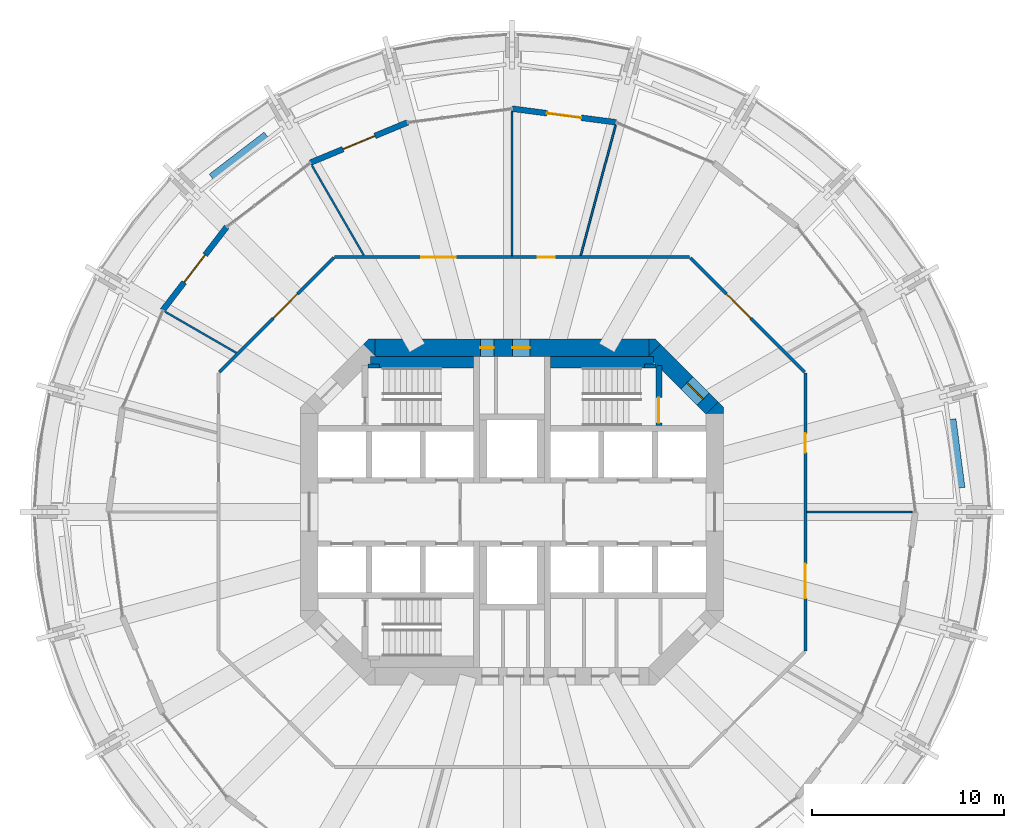
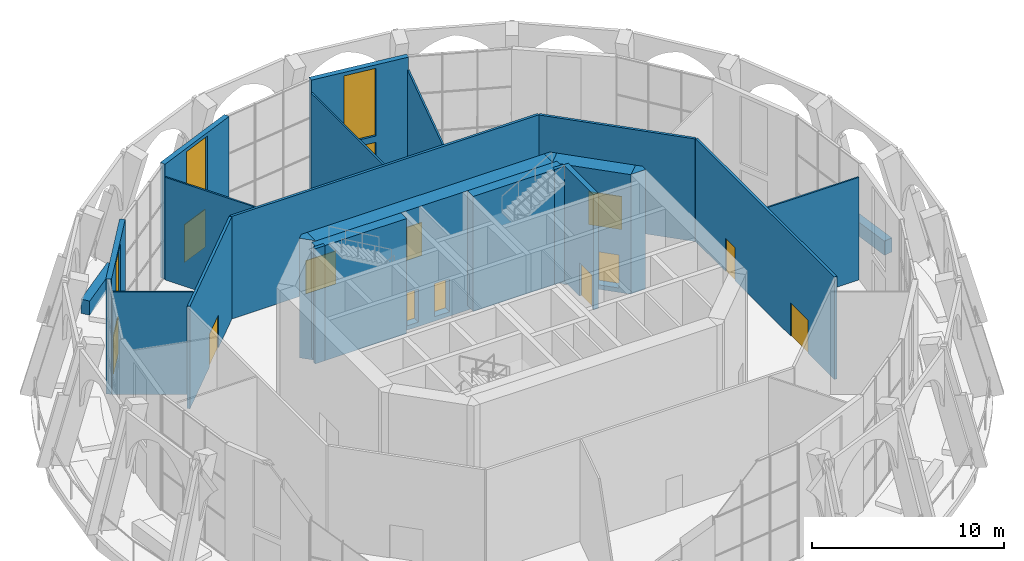
# One storey, part 14 of 18: 24 walls, 13 doors, 3 windows, 16 openings.
"""IFC4 building model written with IfcOpenShell, lengths in metres."""

from ifc_helpers import new_model, si_unit, direction, frame, frame_2d, origin, place, context, subcontext, project, spatial, polyline, rectangle, outline, extrude, material, layer, layer_set, type_object, element, fill, save


model = new_model("IFC4")

# Units and contexts
model_context = context("Model", 3, precision=1e-05, world=origin(), true_north=direction((0.0, 1.0)))
body_context = subcontext(model_context, "Body", "Model", "MODEL_VIEW")
ifc_project = project(units=[si_unit("LENGTHUNIT", "METRE"), si_unit("AREAUNIT", "SQUARE_METRE"), si_unit("VOLUMEUNIT", "CUBIC_METRE"), si_unit("PLANEANGLEUNIT", "RADIAN"), si_unit("MASSUNIT", "GRAM", prefix="KILO")], contexts=[model_context])

# Site, building, storey
site_placement = place(None, origin())
site = spatial("IfcSite", under=ifc_project, at=site_placement, CompositionType="ELEMENT")
building_placement = place(site_placement, origin())
building = spatial("IfcBuilding", under=site, at=building_placement, Name="Torre Triforio", CompositionType="ELEMENT")
storey_placement = place(building_placement, frame((0.0, 0.0, 146.60009765625)))
storey = spatial("IfcBuildingStorey", under=building, at=storey_placement, Name="L33", CompositionType="ELEMENT", Elevation=146.60009765625)

# Wall, openings, doors
ifc_material_1 = material(Name="Concrete C60", Category="concrete")
ifc_layer_1 = layer(ifc_material_1, 0.89990234375)
ifc_layer_set_1 = layer_set([ifc_layer_1], Name="Concrete C60")
wall_type_1 = type_object("IfcWallType", Name="Core wall 900 mm C60 EI 120", PredefinedType="SHEAR", material=ifc_layer_set_1)
wall_1_placement = place(storey_placement, frame((-7.1298828125, 8.550048828125, -0.280029296875), z_axis=(0.0, 0.0, 1.0), x_axis=(1.0, 0.0, 0.0)))
wall_1 = element("IfcWall", 1, at=wall_1_placement, inside=storey, type_object=wall_type_1, Name="Core wall", PredefinedType="SHEAR", context=body_context, shape_type="SweptSolid", body=[
    extrude(rectangle(XDim=14.259765625, YDim=0.89990234375, at=frame_2d((7.1298828125, 0.0))), origin(), (0.0, 0.0, 1.0), 7.599853515625),
])
opening_1_placement = place(wall_1_placement, frame((5.47998046875, 0.0, 0.280029296875)))
opening_1 = element("IfcOpeningElement", 2, at=opening_1_placement, cuts=wall_1, Name="Opening RISER-N", PredefinedType="OPENING", context=body_context, shape_type="SweptSolid", body=[
    extrude(rectangle(XDim=0.699951171875, YDim=2.10009765625, at=frame_2d((0.35009765625, 1.050048828125))), frame((0.0, 0.4599609375, 0.0), z_axis=(0.0, -1.0, 0.0), x_axis=(1.0, 0.0, 0.0)), (0.0, 0.0, 1.0), 0.919921875),
])
opening_2_placement = place(wall_1_placement, frame((7.155029296875, 0.0, 0.280029296875)))
opening_2 = element("IfcOpeningElement", 3, at=opening_2_placement, cuts=wall_1, Name="Opening NE-01", PredefinedType="OPENING", context=body_context, shape_type="SweptSolid", body=[
    extrude(rectangle(XDim=0.89990234375, YDim=2.10009765625, at=frame_2d((0.449951171875, 1.050048828125))), frame((0.0, 0.4599609375, 0.0), z_axis=(0.0, -1.0, 0.0), x_axis=(1.0, 0.0, 0.0)), (0.0, 0.0, 1.0), 0.919921875),
])
ifc_material_2 = material(Name="Hollow metal fire door leaf")
door_type_1 = type_object("IfcDoorType", Name="Riser door 700 x 2100 EI 60", OperationType="NOTDEFINED", PredefinedType="DOOR", material=ifc_material_2)
door_1_placement = place(opening_1_placement, origin())
door_1 = element("IfcDoor", 4, at=door_1_placement, inside=storey, type_object=door_type_1, Name="Core door RISER-N", OperationType="SINGLE_SWING_LEFT", OverallHeight=2.10009765625, OverallWidth=0.699951171875, PredefinedType="DOOR", context=body_context, shape_type="SweptSolid", body=[
    extrude(rectangle(XDim=0.699951171875, YDim=2.10009765625, at=frame_2d((0.35009765625, 1.050048828125))), frame((0.0, 0.02490234375, 0.0), z_axis=(0.0, -1.0, 0.0), x_axis=(1.0, 0.0, 0.0)), (0.0, 0.0, 1.0), 0.050048828125),
])
fill(opening_1, door_1)
door_type_2 = type_object("IfcDoorType", Name="Room door 900 x 2100 EI 60", OperationType="NOTDEFINED", PredefinedType="DOOR", material=ifc_material_2)
door_2_placement = place(opening_2_placement, origin())
door_2 = element("IfcDoor", 5, at=door_2_placement, inside=storey, type_object=door_type_2, Name="Core door NE-01", OperationType="SINGLE_SWING_LEFT", OverallHeight=2.10009765625, OverallWidth=0.89990234375, PredefinedType="DOOR", context=body_context, shape_type="SweptSolid", body=[
    extrude(rectangle(XDim=0.89990234375, YDim=2.10009765625, at=frame_2d((0.449951171875, 1.050048828125))), frame((0.0, 0.02490234375, 0.0), z_axis=(0.0, -1.0, 0.0), x_axis=(1.0, 0.0, 0.0)), (0.0, 0.0, 1.0), 0.050048828125),
])
fill(opening_2, door_2)

# Wall, opening, door
wall_2_placement = place(storey_placement, frame((7.418212890625, 8.418212890625, -0.280029296875), z_axis=(0.0, 0.0, 1.0), x_axis=(0.707106781187, -0.707106781187, 0.0)))
wall_2 = element("IfcWall", 6, at=wall_2_placement, inside=storey, type_object=wall_type_1, Name="Core wall", PredefinedType="SHEAR", context=body_context, shape_type="SweptSolid", body=[
    extrude(rectangle(XDim=4.24267578125, YDim=0.89990234375, at=frame_2d((2.121337890625, 0.0))), origin(), (0.0, 0.0, 1.0), 7.599853515625),
])
opening_3_placement = place(wall_2_placement, frame((2.392578125, 0.0, 0.280029296875)))
opening_3 = element("IfcOpeningElement", 7, at=opening_3_placement, cuts=wall_2, Name="Opening ST2-EXIT", PredefinedType="OPENING", context=body_context, shape_type="SweptSolid", body=[
    extrude(rectangle(XDim=1.199951171875, YDim=2.10009765625, at=frame_2d((0.60009765625, 1.050048828125))), frame((0.0, 0.4599609375, 0.0), z_axis=(0.0, -1.0, 0.0), x_axis=(1.0, 0.0, 0.0)), (0.0, 0.0, 1.0), 0.919921875),
])
door_type_3 = type_object("IfcDoorType", Name="Stair lobby door 1200 x 2100 EI 60", OperationType="NOTDEFINED", PredefinedType="DOOR", material=ifc_material_2)
door_3_placement = place(opening_3_placement, origin())
door_3 = element("IfcDoor", 8, at=door_3_placement, inside=storey, type_object=door_type_3, Name="Core door ST2-EXIT", OperationType="SINGLE_SWING_LEFT", OverallHeight=2.10009765625, OverallWidth=1.199951171875, PredefinedType="DOOR", context=body_context, shape_type="SweptSolid", body=[
    extrude(rectangle(XDim=1.199951171875, YDim=2.10009765625, at=frame_2d((0.60009765625, 1.050048828125))), frame((0.0, 0.02490234375, 0.0), z_axis=(0.0, -1.0, 0.0), x_axis=(1.0, 0.0, 0.0)), (0.0, 0.0, 1.0), 0.050048828125),
])
fill(opening_3, door_3)

# Walls
wall_3_placement = place(storey_placement, frame((0.0, 0.0, -0.280029296875)))
element("IfcWall", 9, at=wall_3_placement, inside=storey, type_object=wall_type_1, Name="Core wall", PredefinedType="SHEAR", context=body_context, shape_type="SweptSolid", body=[
    extrude(outline(polyline([(11.0, 5.472900390625), (11.0, 5.1298828125), (10.1298828125, 5.1298828125), (10.736328125, 5.736328125), (11.0, 5.472900390625)])), origin(), (0.0, 0.0, 1.0), 7.599853515625),
])
wall_4_placement = place(storey_placement, frame((0.0, 0.0, -0.280029296875)))
element("IfcWall", 10, at=wall_4_placement, inside=storey, type_object=wall_type_1, Name="Core wall", PredefinedType="SHEAR", context=body_context, shape_type="SweptSolid", body=[
    extrude(outline(polyline([(-7.472900390625, 9.0), (-7.1298828125, 9.0), (-7.1298828125, 8.1298828125), (-7.736328125, 8.736328125), (-7.472900390625, 9.0)])), origin(), (0.0, 0.0, 1.0), 7.599853515625),
])
wall_5_placement = place(storey_placement, frame((0.0, 0.0, -0.280029296875)))
element("IfcWall", 11, at=wall_5_placement, inside=storey, type_object=wall_type_1, Name="Core wall", PredefinedType="SHEAR", context=body_context, shape_type="SweptSolid", body=[
    extrude(outline(polyline([(7.472900390625, 9.0), (7.736328125, 8.736328125), (7.1298828125, 8.1298828125), (7.1298828125, 9.0), (7.472900390625, 9.0)])), origin(), (0.0, 0.0, 1.0), 7.599853515625),
])

# Wall, opening, door
ifc_material_3 = material(Name="Plasterboard on metal studs")
ifc_layer_2 = layer(ifc_material_3, 0.14990234375)
ifc_layer_set_2 = layer_set([ifc_layer_2], Name="Plasterboard on metal studs")
wall_type_2 = type_object("IfcWallType", Name="Corridor and tenancy wall 150 mm EI 60", PredefinedType="PARTITIONING", material=ifc_layer_set_2)
wall_6_placement = place(storey_placement, frame((-15.23779296875, 7.28076171875, 0.0), z_axis=(0.0, 0.0, 1.0), x_axis=(0.707106781187, 0.707106781187, 0.0)))
wall_6 = element("IfcWall", 12, at=wall_6_placement, inside=storey, type_object=wall_type_2, Name="Partition 5", PredefinedType="PARTITIONING", context=body_context, shape_type="SweptSolid", body=[
    extrude(rectangle(XDim=8.424560546875, YDim=0.14990234375, at=frame_2d((4.21240234375, 0.0))), origin(), (0.0, 0.0, 1.0), 6.52001953125),
])
opening_4_placement = place(wall_6_placement, frame((3.966552734375, 0.0, 0.0)))
opening_4 = element("IfcOpeningElement", 13, at=opening_4_placement, cuts=wall_6, Name="Opening G2-04", PredefinedType="OPENING", context=body_context, shape_type="SweptSolid", body=[
    extrude(rectangle(XDim=1.800048828125, YDim=2.10009765625, at=frame_2d((0.89990234375, 1.050048828125))), frame((0.0, 0.0849609375, 0.0), z_axis=(0.0, -1.0, 0.0), x_axis=(1.0, 0.0, 0.0)), (0.0, 0.0, 1.0), 0.169921875),
])
ifc_material_4 = material(Name="Timber", Category="wood")
door_type_4 = type_object("IfcDoorType", Name="Door 1800 x 2100 double leaf EI 30", OperationType="DOUBLE_DOOR_SINGLE_SWING", PredefinedType="DOOR", material=ifc_material_4)
door_4_placement = place(opening_4_placement, origin())
door_4 = element("IfcDoor", 14, at=door_4_placement, inside=storey, type_object=door_type_4, Name="Door G2-04", OperationType="DOUBLE_DOOR_SINGLE_SWING", OverallHeight=2.10009765625, OverallWidth=1.800048828125, PredefinedType="DOOR", context=body_context, shape_type="SweptSolid", body=[
    extrude(rectangle(XDim=1.800048828125, YDim=2.10009765625, at=frame_2d((0.89990234375, 1.050048828125))), frame((0.0, 0.02490234375, 0.0), z_axis=(0.0, -1.0, 0.0), x_axis=(1.0, 0.0, 0.0)), (0.0, 0.0, 1.0), 0.050048828125),
])
fill(opening_4, door_4)

# Wall, openings, doors
wall_7_placement = place(storey_placement, frame((-9.24365234375, 13.27490234375, 0.0), z_axis=(0.0, 0.0, 1.0), x_axis=(1.0, 0.0, 0.0)))
wall_7 = element("IfcWall", 15, at=wall_7_placement, inside=storey, type_object=wall_type_2, Name="Partition 6", PredefinedType="PARTITIONING", context=body_context, shape_type="SweptSolid", body=[
    extrude(rectangle(XDim=18.4873046875, YDim=0.14990234375, at=frame_2d((9.24365234375, 0.0))), origin(), (0.0, 0.0, 1.0), 6.52001953125),
])
opening_5_placement = place(wall_7_placement, frame((10.572998046875, 0.0, 0.0)))
opening_5 = element("IfcOpeningElement", 16, at=opening_5_placement, cuts=wall_7, Name="Opening G2-02", PredefinedType="OPENING", context=body_context, shape_type="SweptSolid", body=[
    extrude(rectangle(XDim=0.89990234375, YDim=2.10009765625, at=frame_2d((0.449951171875, 1.050048828125))), frame((0.0, 0.0849609375, 0.0), z_axis=(0.0, -1.0, 0.0), x_axis=(1.0, 0.0, 0.0)), (0.0, 0.0, 1.0), 0.169921875),
])
opening_6_placement = place(wall_7_placement, frame((4.507568359375, 0.0, 0.0)))
opening_6 = element("IfcOpeningElement", 17, at=opening_6_placement, cuts=wall_7, Name="Opening G2-03", PredefinedType="OPENING", context=body_context, shape_type="SweptSolid", body=[
    extrude(rectangle(XDim=1.800048828125, YDim=2.10009765625, at=frame_2d((0.89990234375, 1.050048828125))), frame((0.0, 0.0849609375, 0.0), z_axis=(0.0, -1.0, 0.0), x_axis=(1.0, 0.0, 0.0)), (0.0, 0.0, 1.0), 0.169921875),
])
door_5_placement = place(opening_6_placement, origin())
door_5 = element("IfcDoor", 18, at=door_5_placement, inside=storey, type_object=door_type_4, Name="Door G2-03", OperationType="DOUBLE_DOOR_SINGLE_SWING", OverallHeight=2.10009765625, OverallWidth=1.800048828125, PredefinedType="DOOR", context=body_context, shape_type="SweptSolid", body=[
    extrude(rectangle(XDim=1.800048828125, YDim=2.10009765625, at=frame_2d((0.89990234375, 1.050048828125))), frame((0.0, 0.02490234375, 0.0), z_axis=(0.0, -1.0, 0.0), x_axis=(1.0, 0.0, 0.0)), (0.0, 0.0, 1.0), 0.050048828125),
])
fill(opening_6, door_5)
door_type_5 = type_object("IfcDoorType", Name="Door 900 x 2100 single leaf EI 30", OperationType="NOTDEFINED", PredefinedType="DOOR", material=ifc_material_4)
door_6_placement = place(opening_5_placement, origin())
door_6 = element("IfcDoor", 19, at=door_6_placement, inside=storey, type_object=door_type_5, Name="Door G2-02", OperationType="SINGLE_SWING_RIGHT", OverallHeight=2.10009765625, OverallWidth=0.89990234375, PredefinedType="DOOR", context=body_context, shape_type="SweptSolid", body=[
    extrude(rectangle(XDim=0.89990234375, YDim=2.10009765625, at=frame_2d((0.449951171875, 1.050048828125))), frame((0.0, 0.02490234375, 0.0), z_axis=(0.0, -1.0, 0.0), x_axis=(1.0, 0.0, 0.0)), (0.0, 0.0, 1.0), 0.050048828125),
])
fill(opening_5, door_6)

# Wall, opening, door
wall_8_placement = place(storey_placement, frame((9.28076171875, 13.23779296875, 0.0), z_axis=(0.0, 0.0, 1.0), x_axis=(0.707106781187, -0.707106781187, 0.0)))
wall_8 = element("IfcWall", 20, at=wall_8_placement, inside=storey, type_object=wall_type_2, Name="Partition 7", PredefinedType="PARTITIONING", context=body_context, shape_type="SweptSolid", body=[
    extrude(rectangle(XDim=8.424560546875, YDim=0.14990234375, at=frame_2d((4.21240234375, 0.0))), origin(), (0.0, 0.0, 1.0), 6.52001953125),
])
opening_7_placement = place(wall_8_placement, frame((2.658203125, 0.0, 0.0)))
opening_7 = element("IfcOpeningElement", 21, at=opening_7_placement, cuts=wall_8, Name="Opening G2-01", PredefinedType="OPENING", context=body_context, shape_type="SweptSolid", body=[
    extrude(rectangle(XDim=1.800048828125, YDim=2.10009765625, at=frame_2d((0.89990234375, 1.050048828125))), frame((0.0, 0.0849609375, 0.0), z_axis=(0.0, -1.0, 0.0), x_axis=(1.0, 0.0, 0.0)), (0.0, 0.0, 1.0), 0.169921875),
])
door_7_placement = place(opening_7_placement, origin())
door_7 = element("IfcDoor", 22, at=door_7_placement, inside=storey, type_object=door_type_4, Name="Door G2-01", OperationType="DOUBLE_DOOR_SINGLE_SWING", OverallHeight=2.10009765625, OverallWidth=1.800048828125, PredefinedType="DOOR", context=body_context, shape_type="SweptSolid", body=[
    extrude(rectangle(XDim=1.800048828125, YDim=2.10009765625, at=frame_2d((0.89990234375, 1.050048828125))), frame((0.0, 0.02490234375, 0.0), z_axis=(0.0, -1.0, 0.0), x_axis=(1.0, 0.0, 0.0)), (0.0, 0.0, 1.0), 0.050048828125),
])
fill(opening_7, door_7)

# Wall, openings, doors
wall_9_placement = place(storey_placement, frame((15.27490234375, 7.24365234375, 0.0), z_axis=(0.0, 0.0, 1.0), x_axis=(0.0, -1.0, 0.0)))
wall_9 = element("IfcWall", 23, at=wall_9_placement, inside=storey, type_object=wall_type_2, Name="Partition 8", PredefinedType="PARTITIONING", context=body_context, shape_type="SweptSolid", body=[
    extrude(rectangle(XDim=14.4873046875, YDim=0.14990234375, at=frame_2d((7.24365234375, 0.0))), origin(), (0.0, 0.0, 1.0), 6.52001953125),
])
opening_8_placement = place(wall_9_placement, frame((9.940185546875, 0.0, 0.0)))
opening_8 = element("IfcOpeningElement", 24, at=opening_8_placement, cuts=wall_9, Name="Opening G2-10", PredefinedType="OPENING", context=body_context, shape_type="SweptSolid", body=[
    extrude(rectangle(XDim=1.800048828125, YDim=2.10009765625, at=frame_2d((0.89990234375, 1.050048828125))), frame((0.0, 0.0849609375, 0.0), z_axis=(0.0, -1.0, 0.0), x_axis=(1.0, 0.0, 0.0)), (0.0, 0.0, 1.0), 0.169921875),
])
opening_9_placement = place(wall_9_placement, frame((3.146728515625, 0.0, 0.0)))
opening_9 = element("IfcOpeningElement", 25, at=opening_9_placement, cuts=wall_9, Name="Opening G2-11", PredefinedType="OPENING", context=body_context, shape_type="SweptSolid", body=[
    extrude(rectangle(XDim=1.0, YDim=2.10009765625, at=frame_2d((0.5, 1.050048828125))), frame((0.0, 0.0849609375, 0.0), z_axis=(0.0, -1.0, 0.0), x_axis=(1.0, 0.0, 0.0)), (0.0, 0.0, 1.0), 0.169921875),
])
door_type_6 = type_object("IfcDoorType", Name="Door 1000 x 2100 single leaf EI 30", OperationType="NOTDEFINED", PredefinedType="DOOR", material=ifc_material_4)
door_8_placement = place(opening_9_placement, origin())
door_8 = element("IfcDoor", 26, at=door_8_placement, inside=storey, type_object=door_type_6, Name="Door G2-11", OperationType="SINGLE_SWING_RIGHT", OverallHeight=2.10009765625, OverallWidth=1.0, PredefinedType="DOOR", context=body_context, shape_type="SweptSolid", body=[
    extrude(rectangle(XDim=1.0, YDim=2.10009765625, at=frame_2d((0.5, 1.050048828125))), frame((0.0, 0.02490234375, 0.0), z_axis=(0.0, -1.0, 0.0), x_axis=(1.0, 0.0, 0.0)), (0.0, 0.0, 1.0), 0.050048828125),
])
fill(opening_9, door_8)
door_9_placement = place(opening_8_placement, origin())
door_9 = element("IfcDoor", 27, at=door_9_placement, inside=storey, type_object=door_type_4, Name="Door G2-10", OperationType="DOUBLE_DOOR_SINGLE_SWING", OverallHeight=2.10009765625, OverallWidth=1.800048828125, PredefinedType="DOOR", context=body_context, shape_type="SweptSolid", body=[
    extrude(rectangle(XDim=1.800048828125, YDim=2.10009765625, at=frame_2d((0.89990234375, 1.050048828125))), frame((0.0, 0.02490234375, 0.0), z_axis=(0.0, -1.0, 0.0), x_axis=(1.0, 0.0, 0.0)), (0.0, 0.0, 1.0), 0.050048828125),
])
fill(opening_8, door_9)

# Walls
ifc_layer_3 = layer(ifc_material_3, 0.10009765625)
ifc_layer_set_3 = layer_set([ifc_layer_3], Name="Plasterboard on metal studs")
wall_type_3 = type_object("IfcWallType", Name="Partition 100 mm board on metal studs", PredefinedType="PARTITIONING", material=ifc_layer_set_3)
wall_10_placement = place(storey_placement, frame((15.35009765625, 0.0, 0.0), z_axis=(0.0, 0.0, 1.0), x_axis=(1.0, 0.0, 0.0)))
element("IfcWall", 28, at=wall_10_placement, inside=storey, type_object=wall_type_3, Name="Partition 9", PredefinedType="PARTITIONING", context=body_context, shape_type="SweptSolid", body=[
    extrude(rectangle(XDim=5.486572265625, YDim=0.10009765625, at=frame_2d((2.7431640625, 0.0))), origin(), (0.0, 0.0, 1.0), 6.52001953125),
])
wall_11_placement = place(storey_placement, frame((3.5810546875, 13.3642578125, 0.0), z_axis=(0.0, 0.0, 1.0), x_axis=(0.258788959086, 0.965933887311, 0.0)))
element("IfcWall", 29, at=wall_11_placement, inside=storey, type_object=wall_type_3, Name="Partition 11", PredefinedType="PARTITIONING", context=body_context, shape_type="SweptSolid", body=[
    extrude(rectangle(XDim=7.0009765625, YDim=0.10009765625, at=frame_2d((3.50048828125, 0.0))), origin(), (0.0, 0.0, 1.0), 6.52001953125),
])
wall_12_placement = place(storey_placement, frame((0.0, 13.35009765625, 0.0), z_axis=(0.0, 0.0, 1.0), x_axis=(0.0, 1.0, 0.0)))
element("IfcWall", 30, at=wall_12_placement, inside=storey, type_object=wall_type_3, Name="Partition 12", PredefinedType="PARTITIONING", context=body_context, shape_type="SweptSolid", body=[
    extrude(rectangle(XDim=7.486572265625, YDim=0.10009765625, at=frame_2d((3.7431640625, 0.0))), origin(), (0.0, 0.0, 1.0), 6.52001953125),
])
wall_13_placement = place(storey_placement, frame((-7.7216796875, 13.37451171875, 0.0), z_axis=(0.0, 0.0, 1.0), x_axis=(-0.500024172624, 0.866011447264, 0.0)))
element("IfcWall", 31, at=wall_13_placement, inside=storey, type_object=wall_type_3, Name="Partition 13", PredefinedType="PARTITIONING", context=body_context, shape_type="SweptSolid", body=[
    extrude(rectangle(XDim=5.393310546875, YDim=0.10009765625, at=frame_2d((2.69677734375, 0.0))), origin(), (0.0, 0.0, 1.0), 6.52001953125),
])
wall_14_placement = place(storey_placement, frame((-14.356201171875, 8.28857421875, 0.0), z_axis=(0.0, 0.0, 1.0), x_axis=(-0.866019511163, 0.500010206181, 0.0)))
element("IfcWall", 32, at=wall_14_placement, inside=storey, type_object=wall_type_3, Name="Partition 14", PredefinedType="PARTITIONING", context=body_context, shape_type="SweptSolid", body=[
    extrude(rectangle(XDim=4.259765625, YDim=0.10009765625, at=frame_2d((2.1298828125, 0.0))), origin(), (0.0, 0.0, 1.0), 6.52001953125),
])
ifc_material_5 = material(Name="Limestone cladding", Category="masonry")
ifc_layer_4 = layer(ifc_material_5, 0.10009765625)
ifc_material_6 = material(Name="Concrete C40", Category="concrete")
ifc_layer_5 = layer(ifc_material_6, 0.39990234375)
ifc_layer_set_4 = layer_set([ifc_layer_4, ifc_layer_5], Name="Limestone cladding / Concrete C40")
wall_type_4 = type_object("IfcWallType", Name="Planter wall 500", PredefinedType="PARAPET", material=ifc_layer_set_4)
for number, where, z_axis, x_axis, name in (
    (33, (23.335693359375, 1.256591796875, 0.0), (0.0, 0.0, 1.0), (-0.130542222659, 0.991442750795, 0.0), "Planter L33 bay 01"),
    (34, (-12.756103515625, 19.580810546875, 0.0), (0.0, 0.0, 1.0), (-0.793384730612, -0.608720518162, 0.0), "Planter L33 bay 09"),
):
    element("IfcWall", number, at=place(storey_placement, frame(where, z_axis=z_axis, x_axis=x_axis)), inside=storey, type_object=wall_type_4, Name=name, PredefinedType="PARAPET", context=body_context, shape_type="SweptSolid", body=[
        extrude(rectangle(XDim=3.60009765625, YDim=0.5, at=frame_2d((1.800048828125, 0.0))), origin(), (0.0, 0.0, 1.0), 0.89990234375),
    ])
ifc_layer_6 = layer(ifc_material_1, 0.199951171875)
ifc_layer_set_5 = layer_set([ifc_layer_6], Name="Concrete C60")
wall_type_5 = type_object("IfcWallType", Name="Stair wall 200 mm C60 EI 120", PredefinedType="SHEAR", material=ifc_layer_set_5)
for number, where, z_axis, x_axis, name in (
    (35, (-7.5, 7.60009765625, 0.0), (0.0, 0.0, 1.0), (1.0, 0.0, 0.0), "Stair wall"),
    (36, (6.89990234375, 7.60009765625, 0.0), (0.0, 0.0, 1.0), (1.0, 0.0, 0.0), "Stair wall"),
):
    element("IfcWall", number, at=place(storey_placement, frame(where, z_axis=z_axis, x_axis=x_axis)), inside=storey, type_object=wall_type_5, Name=name, PredefinedType="SHEAR", context=body_context, shape_type="SweptSolid", body=[
        extrude(rectangle(XDim=0.60009765625, YDim=0.199951171875, at=frame_2d((0.300048828125, 0.0))), origin(), (0.0, 0.0, 1.0), 7.31982421875),
    ])

# Wall, opening, door
ifc_layer_7 = layer(ifc_material_1, 0.300048828125)
ifc_layer_set_6 = layer_set([ifc_layer_7], Name="Concrete C60")
wall_type_6 = type_object("IfcWallType", Name="Stair wall 300 mm C60 EI 120", PredefinedType="SHEAR", material=ifc_layer_set_6)
wall_15_placement = place(storey_placement, frame((7.64990234375, 4.5, 0.0), z_axis=(0.0, 0.0, 1.0), x_axis=(0.0, 1.0, 0.0)))
wall_15 = element("IfcWall", 37, at=wall_15_placement, inside=storey, type_object=wall_type_6, Name="Stair wall", PredefinedType="SHEAR", context=body_context, shape_type="SweptSolid", body=[
    extrude(rectangle(XDim=3.139892578125, YDim=0.300048828125, at=frame_2d((1.56982421875, 0.0))), origin(), (0.0, 0.0, 1.0), 7.31982421875),
])
opening_10_placement = place(wall_15_placement, frame((0.139892578125, 0.0, 0.0)))
opening_10 = element("IfcOpeningElement", 38, at=opening_10_placement, cuts=wall_15, Name="Opening ST2-STA", PredefinedType="OPENING", context=body_context, shape_type="SweptSolid", body=[
    extrude(rectangle(XDim=1.320068359375, YDim=2.10009765625, at=frame_2d((0.66015625, 1.050048828125))), frame((0.0, 0.159912109375, 0.0), z_axis=(0.0, -1.0, 0.0), x_axis=(1.0, 0.0, 0.0)), (0.0, 0.0, 1.0), 0.320068359375),
])
door_type_7 = type_object("IfcDoorType", Name="Stair door 1320 x 2100 EI 90", OperationType="DOUBLE_DOOR_SINGLE_SWING", PredefinedType="DOOR", material=ifc_material_2)
door_10_placement = place(opening_10_placement, origin())
door_10 = element("IfcDoor", 39, at=door_10_placement, inside=storey, type_object=door_type_7, Name="Core door ST2-ST", OperationType="DOUBLE_DOOR_SINGLE_SWING", OverallHeight=2.10009765625, OverallWidth=1.320068359375, PredefinedType="DOOR", context=body_context, shape_type="SweptSolid", body=[
    extrude(rectangle(XDim=1.320068359375, YDim=2.10009765625, at=frame_2d((0.66015625, 1.050048828125))), frame((0.0, 0.02490234375, 0.0), z_axis=(0.0, -1.0, 0.0), x_axis=(1.0, 0.0, 0.0)), (0.0, 0.0, 1.0), 0.050048828125),
])
fill(opening_10, door_10)

# Walls
ifc_layer_8 = layer(ifc_material_1, 0.60009765625)
ifc_layer_set_7 = layer_set([ifc_layer_8], Name="Concrete C60")
wall_type_7 = type_object("IfcWallType", Name="Stair wall 600 mm C60 EI 120", PredefinedType="SHEAR", material=ifc_layer_set_7)
for number, where, z_axis, x_axis, name in (
    (40, (-7.3701171875, 7.800048828125, 0.0), (0.0, 0.0, 1.0), (1.0, 0.0, 0.0), "Stair wall"),
    (41, (2.0, 7.800048828125, 0.0), (0.0, 0.0, 1.0), (1.0, 0.0, 0.0), "Stair wall"),
):
    element("IfcWall", number, at=place(storey_placement, frame(where, z_axis=z_axis, x_axis=x_axis)), inside=storey, type_object=wall_type_7, Name=name, PredefinedType="SHEAR", context=body_context, shape_type="SweptSolid", body=[
        extrude(rectangle(XDim=5.3701171875, YDim=0.60009765625, at=frame_2d((2.68505859375, 0.0))), origin(), (0.0, 0.0, 1.0), 7.31982421875),
    ])

# Wall, openings, window, door
ifc_layer_9 = layer(ifc_material_5, 0.10009765625)
ifc_layer_10 = layer(ifc_material_6, 0.199951171875)
ifc_layer_set_8 = layer_set([ifc_layer_9, ifc_layer_10], Name="Limestone cladding / Concrete C40")
wall_type_8 = type_object("IfcWallType", Name="Stone-faced composite wall 300", PredefinedType="STANDARD", material=ifc_layer_set_8)
wall_16_placement = place(storey_placement, frame((5.435302734375, 20.284423828125, 0.0), z_axis=(0.0, 0.0, 1.0), x_axis=(-0.991444743541, 0.130527087244, 0.0)))
wall_16 = element("IfcWall", 42, at=wall_16_placement, inside=storey, type_object=wall_type_8, Name="External wall L33 bay 06", PredefinedType="STANDARD", context=body_context, shape_type="SweptSolid", body=[
    extrude(rectangle(XDim=5.482177734375, YDim=0.300048828125, at=frame_2d((2.7412109375, 0.0))), origin(), (0.0, 0.0, 1.0), 7.31982421875),
])
opening_11_placement = place(wall_16_placement, frame((1.841064453125, 0.0, 0.0)))
opening_11 = element("IfcOpeningElement", 43, at=opening_11_placement, cuts=wall_16, Name="Opening G2-D06", PredefinedType="OPENING", context=body_context, shape_type="SweptSolid", body=[
    extrude(rectangle(XDim=1.800048828125, YDim=2.39990234375, at=frame_2d((0.89990234375, 1.199951171875))), frame((0.0, 0.159912109375, 0.0), z_axis=(0.0, -1.0, 0.0), x_axis=(1.0, 0.0, 0.0)), (0.0, 0.0, 1.0), 0.320068359375),
])
opening_12_placement = place(wall_16_placement, frame((1.841064453125, 0.0, 2.800048828125)))
opening_12 = element("IfcOpeningElement", 44, at=opening_12_placement, cuts=wall_16, Name="Opening G2-W06", PredefinedType="OPENING", context=body_context, shape_type="SweptSolid", body=[
    extrude(rectangle(XDim=1.800048828125, YDim=4.300048828125, at=frame_2d((0.89990234375, 2.14990234375))), frame((0.0, 0.159912109375, 0.0), z_axis=(0.0, -1.0, 0.0), x_axis=(1.0, 0.0, 0.0)), (0.0, 0.0, 1.0), 0.320068359375),
])
ifc_material_7 = material(Name="Aluminium frame with clear double glazing", Category="aluminium")
window_type = type_object("IfcWindowType", Name="Garden clerestory window 1800 x 4300", PartitioningType="DOUBLE_PANEL_VERTICAL", PredefinedType="WINDOW", material=ifc_material_7)
window_1_placement = place(opening_12_placement, origin())
window_1 = element("IfcWindow", 45, at=window_1_placement, inside=storey, type_object=window_type, Name="Clerestory EWN21 L33 bay 06", OverallHeight=4.300048828125, OverallWidth=1.800048828125, PartitioningType="SINGLE_PANEL", PredefinedType="WINDOW", context=body_context, shape_type="SweptSolid", body=[
    extrude(rectangle(XDim=1.800048828125, YDim=4.300048828125, at=frame_2d((0.89990234375, 2.14990234375))), frame((0.0, 0.030029296875, 0.0), z_axis=(0.0, -1.0, 0.0), x_axis=(1.0, 0.0, 0.0)), (0.0, 0.0, 1.0), 0.06005859375),
])
fill(opening_12, window_1)
door_type_8 = type_object("IfcDoorType", Name="Terrace double door 1800 x 2400", OperationType="DOUBLE_DOOR_SINGLE_SWING", PredefinedType="DOOR", material=ifc_material_7)
door_11_placement = place(opening_11_placement, origin())
door_11 = element("IfcDoor", 46, at=door_11_placement, inside=storey, type_object=door_type_8, Name="Terrace door L33 bay 06", OperationType="SINGLE_SWING_LEFT", OverallHeight=2.39990234375, OverallWidth=1.800048828125, PredefinedType="DOOR", context=body_context, shape_type="SweptSolid", body=[
    extrude(rectangle(XDim=1.800048828125, YDim=2.39990234375, at=frame_2d((0.89990234375, 1.199951171875))), frame((0.0, 0.02490234375, 0.0), z_axis=(0.0, -1.0, 0.0), x_axis=(1.0, 0.0, 0.0)), (0.0, 0.0, 1.0), 0.050048828125),
])
fill(opening_11, door_11)

wall_17_placement = place(storey_placement, frame((-5.435302734375, 20.284423828125, 0.0), z_axis=(0.0, 0.0, 1.0), x_axis=(-0.923877333662, -0.382688740813, 0.0)))
wall_17 = element("IfcWall", 47, at=wall_17_placement, inside=storey, type_object=wall_type_8, Name="External wall L33 bay 08", PredefinedType="STANDARD", context=body_context, shape_type="SweptSolid", body=[
    extrude(rectangle(XDim=5.48193359375, YDim=0.300048828125, at=frame_2d((2.740966796875, 0.0))), origin(), (0.0, 0.0, 1.0), 7.31982421875),
])
opening_13_placement = place(wall_17_placement, frame((1.841064453125, 0.0, 0.0)))
opening_13 = element("IfcOpeningElement", 48, at=opening_13_placement, cuts=wall_17, Name="Opening G2-D08", PredefinedType="OPENING", context=body_context, shape_type="SweptSolid", body=[
    extrude(rectangle(XDim=1.800048828125, YDim=2.39990234375, at=frame_2d((0.89990234375, 1.199951171875))), frame((0.0, 0.159912109375, 0.0), z_axis=(0.0, -1.0, 0.0), x_axis=(1.0, 0.0, 0.0)), (0.0, 0.0, 1.0), 0.320068359375),
])
opening_14_placement = place(wall_17_placement, frame((1.841064453125, 0.0, 2.800048828125)))
opening_14 = element("IfcOpeningElement", 49, at=opening_14_placement, cuts=wall_17, Name="Opening G2-W08", PredefinedType="OPENING", context=body_context, shape_type="SweptSolid", body=[
    extrude(rectangle(XDim=1.800048828125, YDim=4.300048828125, at=frame_2d((0.89990234375, 2.14990234375))), frame((0.0, 0.159912109375, 0.0), z_axis=(0.0, -1.0, 0.0), x_axis=(1.0, 0.0, 0.0)), (0.0, 0.0, 1.0), 0.320068359375),
])
window_2_placement = place(opening_14_placement, origin())
window_2 = element("IfcWindow", 50, at=window_2_placement, inside=storey, type_object=window_type, Name="Clerestory EWN21 L33 bay 08", OverallHeight=4.300048828125, OverallWidth=1.800048828125, PartitioningType="SINGLE_PANEL", PredefinedType="WINDOW", context=body_context, shape_type="SweptSolid", body=[
    extrude(rectangle(XDim=1.800048828125, YDim=4.300048828125, at=frame_2d((0.89990234375, 2.14990234375))), frame((0.0, 0.030029296875, 0.0), z_axis=(0.0, -1.0, 0.0), x_axis=(1.0, 0.0, 0.0)), (0.0, 0.0, 1.0), 0.06005859375),
])
fill(opening_14, window_2)
door_12_placement = place(opening_13_placement, origin())
door_12 = element("IfcDoor", 51, at=door_12_placement, inside=storey, type_object=door_type_8, Name="Terrace door L33 bay 08", OperationType="SINGLE_SWING_LEFT", OverallHeight=2.39990234375, OverallWidth=1.800048828125, PredefinedType="DOOR", context=body_context, shape_type="SweptSolid", body=[
    extrude(rectangle(XDim=1.800048828125, YDim=2.39990234375, at=frame_2d((0.89990234375, 1.199951171875))), frame((0.0, 0.02490234375, 0.0), z_axis=(0.0, -1.0, 0.0), x_axis=(1.0, 0.0, 0.0)), (0.0, 0.0, 1.0), 0.050048828125),
])
fill(opening_13, door_12)

wall_18_placement = place(storey_placement, frame((-14.84912109375, 14.84912109375, 0.0), z_axis=(0.0, 0.0, 1.0), x_axis=(-0.608784891166, -0.793335336593, 0.0)))
wall_18 = element("IfcWall", 52, at=wall_18_placement, inside=storey, type_object=wall_type_8, Name="External wall L33 bay 10", PredefinedType="STANDARD", context=body_context, shape_type="SweptSolid", body=[
    extrude(rectangle(XDim=5.482177734375, YDim=0.300048828125, at=frame_2d((2.7412109375, 0.0))), origin(), (0.0, 0.0, 1.0), 7.31982421875),
])
opening_15_placement = place(wall_18_placement, frame((1.841064453125, 0.0, 0.0)))
opening_15 = element("IfcOpeningElement", 53, at=opening_15_placement, cuts=wall_18, Name="Opening G2-D10", PredefinedType="OPENING", context=body_context, shape_type="SweptSolid", body=[
    extrude(rectangle(XDim=1.800048828125, YDim=2.39990234375, at=frame_2d((0.89990234375, 1.199951171875))), frame((0.0, 0.159912109375, 0.0), z_axis=(0.0, -1.0, 0.0), x_axis=(1.0, 0.0, 0.0)), (0.0, 0.0, 1.0), 0.320068359375),
])
opening_16_placement = place(wall_18_placement, frame((1.841064453125, 0.0, 2.800048828125)))
opening_16 = element("IfcOpeningElement", 54, at=opening_16_placement, cuts=wall_18, Name="Opening G2-W10", PredefinedType="OPENING", context=body_context, shape_type="SweptSolid", body=[
    extrude(rectangle(XDim=1.800048828125, YDim=4.300048828125, at=frame_2d((0.89990234375, 2.14990234375))), frame((0.0, 0.159912109375, 0.0), z_axis=(0.0, -1.0, 0.0), x_axis=(1.0, 0.0, 0.0)), (0.0, 0.0, 1.0), 0.320068359375),
])
window_3_placement = place(opening_16_placement, origin())
window_3 = element("IfcWindow", 55, at=window_3_placement, inside=storey, type_object=window_type, Name="Clerestory EWN21 L33 bay 10", OverallHeight=4.300048828125, OverallWidth=1.800048828125, PartitioningType="SINGLE_PANEL", PredefinedType="WINDOW", context=body_context, shape_type="SweptSolid", body=[
    extrude(rectangle(XDim=1.800048828125, YDim=4.300048828125, at=frame_2d((0.89990234375, 2.14990234375))), frame((0.0, 0.030029296875, 0.0), z_axis=(0.0, -1.0, 0.0), x_axis=(1.0, 0.0, 0.0)), (0.0, 0.0, 1.0), 0.06005859375),
])
fill(opening_16, window_3)
door_13_placement = place(opening_15_placement, origin())
door_13 = element("IfcDoor", 56, at=door_13_placement, inside=storey, type_object=door_type_8, Name="Terrace door L33 bay 10", OperationType="SINGLE_SWING_LEFT", OverallHeight=2.39990234375, OverallWidth=1.800048828125, PredefinedType="DOOR", context=body_context, shape_type="SweptSolid", body=[
    extrude(rectangle(XDim=1.800048828125, YDim=2.39990234375, at=frame_2d((0.89990234375, 1.199951171875))), frame((0.0, 0.02490234375, 0.0), z_axis=(0.0, -1.0, 0.0), x_axis=(1.0, 0.0, 0.0)), (0.0, 0.0, 1.0), 0.050048828125),
])
fill(opening_15, door_13)

save(model, "model.ifc")
